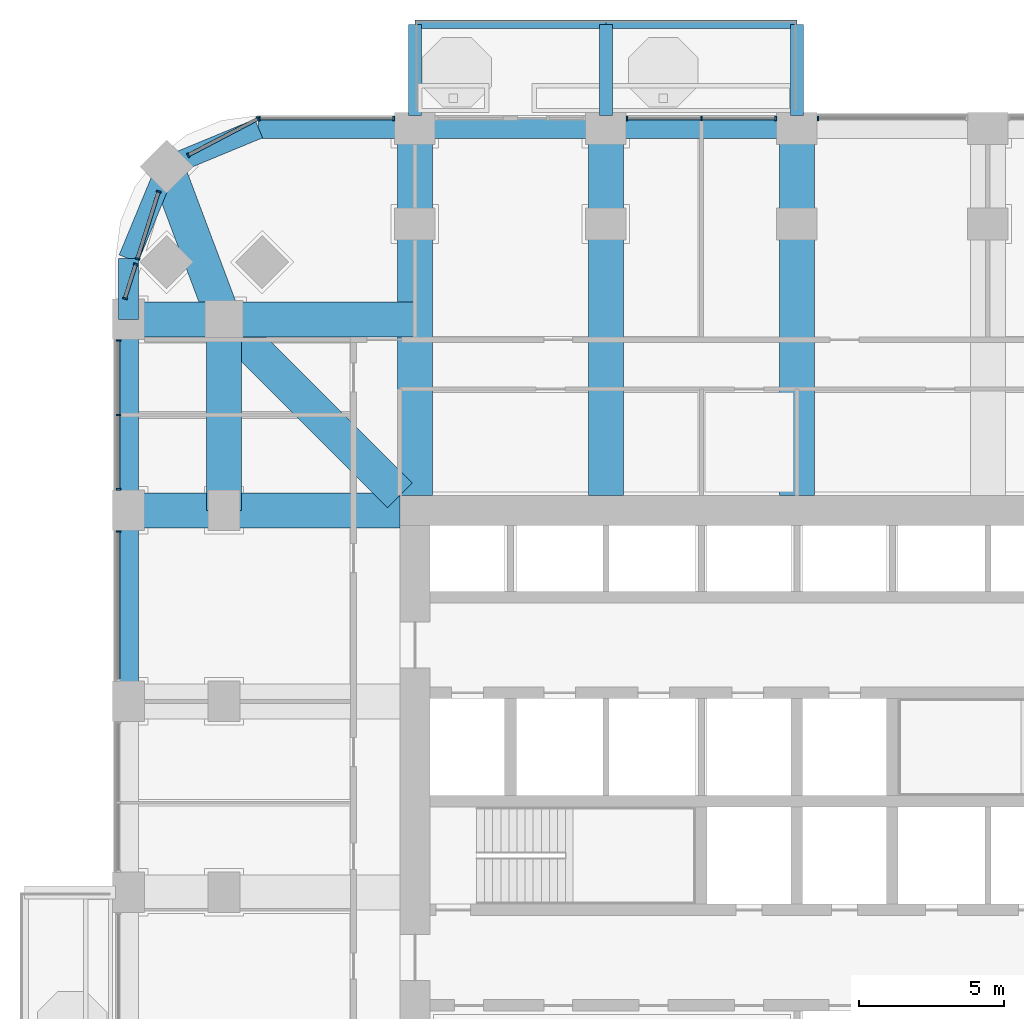
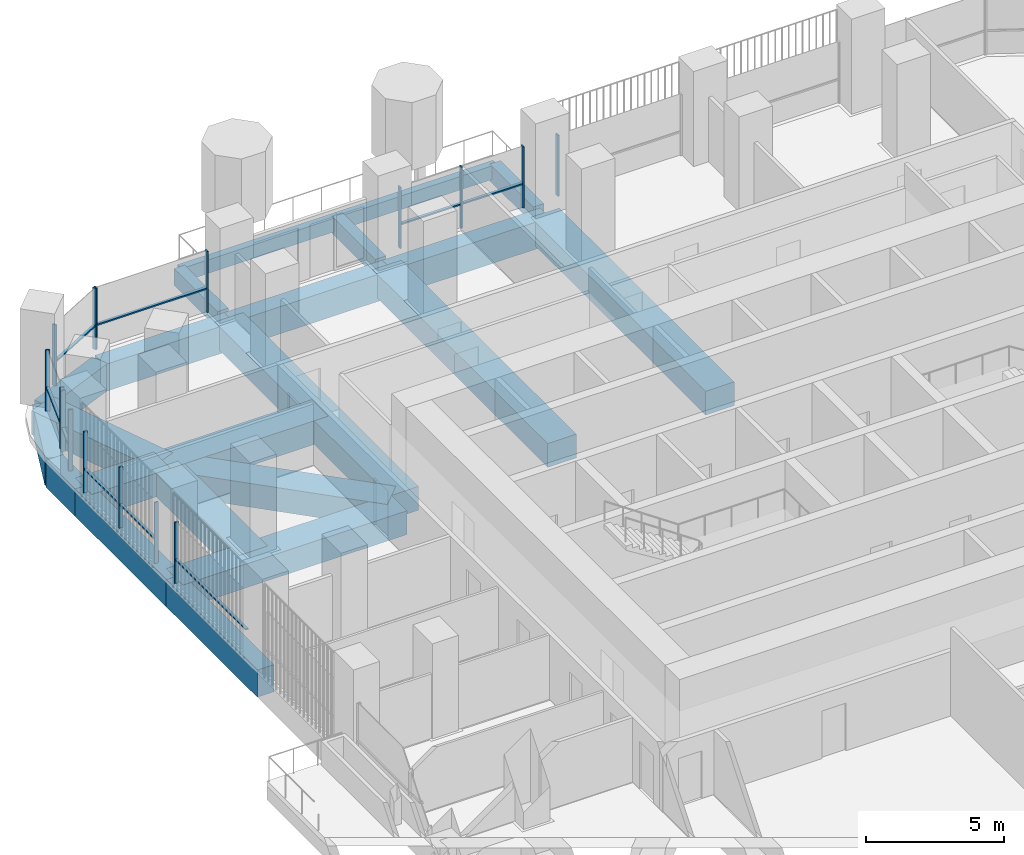
# One storey, part 6 of 21: 25 members, 22 beams, 8 elements without a shape of their own.
"""IFC4 building model written with IfcOpenShell, lengths in metres."""

from ifc_helpers import new_model, si_unit, direction, frame, origin, origin_2d, place, context, subcontext, project, spatial, rectangle, extrude, material, material_profile, profile_set, type_object, element, aggregate, save


model = new_model("IFC4")

# Units and contexts
model_context = context("Model", 3, precision=1e-05, world=origin(), true_north=direction((0.0, 1.0)))
body_context = subcontext(model_context, "Body", "Model", "MODEL_VIEW")
ifc_project = project(units=[si_unit("LENGTHUNIT", "METRE"), si_unit("AREAUNIT", "SQUARE_METRE"), si_unit("VOLUMEUNIT", "CUBIC_METRE"), si_unit("PLANEANGLEUNIT", "RADIAN"), si_unit("MASSUNIT", "GRAM", prefix="KILO")], contexts=[model_context])

# Site, building, storey
site_placement = place(None, origin())
site = spatial("IfcSite", under=ifc_project, at=site_placement, CompositionType="ELEMENT")
building_placement = place(site_placement, origin())
building = spatial("IfcBuilding", under=site, at=building_placement, Name="Cobogo Forest Laboratory Tower", CompositionType="ELEMENT")
storey_placement = place(building_placement, frame((0.0, 0.0, 115.800048828125)))
storey = spatial("IfcBuildingStorey", under=building, at=storey_placement, Name="L26", CompositionType="ELEMENT", Elevation=115.800048828125)

# Beams
ifc_material_1 = material(Name="Concrete HA-40 (C40/50)", Category="concrete")
ifc_material_profile_1 = material_profile(ifc_material_1, rectangle(XDim=0.449951171875, YDim=0.75, at=origin_2d()), Name="RC 450x750")
ifc_profile_set_1 = profile_set([ifc_material_profile_1], Name="Concrete HA-40 (C40/50)")
beam_type_1 = type_object("IfcBeamType", Name="Balcony cantilever beam 450x750", PredefinedType="BEAM", material=ifc_profile_set_1)
for number, where, z_axis, x_axis, name in (
    (1, (13.199951171875, 46.64990234375, -0.625), (0.0, 1.0, 0.0), (-1.0, 0.0, 0.0), "CB1 BAL-N1-C1 L26"),
    (2, (19.800048828125, 46.64990234375, -0.625), (0.0, 1.0, 0.0), (-1.0, 0.0, 0.0), "CB1 BAL-N1-C2 L26"),
    (3, (26.39990234375, 46.64990234375, -0.625), (0.0, 1.0, 0.0), (-1.0, 0.0, 0.0), "CB1 BAL-N1-C3 L26"),
):
    element("IfcBeam", number, at=place(storey_placement, frame(where, z_axis=z_axis, x_axis=x_axis)), inside=storey, type_object=beam_type_1, Name=name, PredefinedType="BEAM", context=body_context, shape_type="SweptSolid", body=[
        extrude(rectangle(XDim=0.449951171875, YDim=0.75, at=origin_2d()), origin(), (0.0, 0.0, 1.0), 3.150146484375),
    ])
ifc_material_profile_2 = material_profile(ifc_material_1, rectangle(XDim=0.300048828125, YDim=0.60009765625, at=origin_2d()), Name="RC 300x600")
ifc_profile_set_2 = profile_set([ifc_material_profile_2], Name="Concrete HA-40 (C40/50)")
beam_type_2 = type_object("IfcBeamType", Name="Balcony edge beam 300x600", PredefinedType="BEAM", material=ifc_profile_set_2)
beam_1_placement = place(storey_placement, frame((13.199951171875, 49.800048828125, -0.550048828125), z_axis=(1.0, 0.0, 0.0), x_axis=(0.0, 1.0, 0.0)))
element("IfcBeam", 4, at=beam_1_placement, inside=storey, type_object=beam_type_2, Name="BB1 BAL-N1-T1 L26", PredefinedType="BEAM", context=body_context, shape_type="SweptSolid", body=[
    extrude(rectangle(XDim=0.300048828125, YDim=0.60009765625, at=origin_2d()), origin(), (0.0, 0.0, 1.0), 6.60009765625),
])
beam_2_placement = place(storey_placement, frame((19.800048828125, 49.800048828125, -0.550048828125), z_axis=(1.0, 0.0, 0.0), x_axis=(0.0, 1.0, 0.0)))
element("IfcBeam", 5, at=beam_2_placement, inside=storey, type_object=beam_type_2, Name="BB1 BAL-N1-T2 L26", PredefinedType="BEAM", context=body_context, shape_type="SweptSolid", body=[
    extrude(rectangle(XDim=0.300048828125, YDim=0.60009765625, at=origin_2d()), origin(), (0.0, 0.0, 1.0), 6.599853515625),
])
ifc_material_profile_3 = material_profile(ifc_material_1, rectangle(XDim=1.199951171875, YDim=1.050048828125, at=origin_2d()), Name="RC 1200x1050")
ifc_profile_set_3 = profile_set([ifc_material_profile_3], Name="Concrete HA-40 (C40/50)")
beam_type_3 = type_object("IfcBeamType", Name="Laboratory floor wide beam 1200x1050", PredefinedType="BEAM", material=ifc_profile_set_3)
for number, where, z_axis, x_axis, name in (
    (6, (13.199951171875, 33.52490234375, -0.824951171875), (0.0, 1.0, 0.0), (-1.0, 0.0, 0.0), "RB1 R-3-N L26"),
    (7, (19.800048828125, 33.52490234375, -0.824951171875), (0.0, 1.0, 0.0), (-1.0, 0.0, 0.0), "RB1 R-4-N L26"),
    (8, (26.39990234375, 33.52490234375, -0.824951171875), (0.0, 1.0, 0.0), (-1.0, 0.0, 0.0), "RB1 R-5-N L26"),
):
    element("IfcBeam", number, at=place(storey_placement, frame(where, z_axis=z_axis, x_axis=x_axis)), inside=storey, type_object=beam_type_3, Name=name, PredefinedType="BEAM", context=body_context, shape_type="SweptSolid", body=[
        extrude(rectangle(XDim=1.199951171875, YDim=1.050048828125, at=origin_2d()), origin(), (0.0, 0.0, 1.0), 12.675048828125),
    ])
beam_3_placement = place(storey_placement, frame((12.675048828125, 33.0, -0.824951171875), z_axis=(-1.0, 0.0, 0.0), x_axis=(0.0, -1.0, 0.0)))
element("IfcBeam", 9, at=beam_3_placement, inside=storey, type_object=beam_type_3, Name="RB1 R-F-W L26", PredefinedType="BEAM", context=body_context, shape_type="SweptSolid", body=[
    extrude(rectangle(XDim=1.199951171875, YDim=1.050048828125, at=origin_2d()), origin(), (0.0, 0.0, 1.0), 9.375),
])
beam_4_placement = place(storey_placement, frame((6.60009765625, 39.60009765625, -0.824951171875), z_axis=(0.0, -1.0, 0.0), x_axis=(1.0, 0.0, 0.0)))
element("IfcBeam", 10, at=beam_4_placement, inside=storey, type_object=beam_type_3, Name="RB1 G-NW-XC L26", PredefinedType="BEAM", context=body_context, shape_type="SweptSolid", body=[
    extrude(rectangle(XDim=1.199951171875, YDim=1.050048828125, at=origin_2d()), origin(), (0.0, 0.0, 1.0), 6.60009765625),
])
beam_5_placement = place(storey_placement, frame((3.300048828125, 39.60009765625, -0.824951171875), z_axis=(1.0, 0.0, 0.0), x_axis=(0.0, 1.0, 0.0)))
element("IfcBeam", 11, at=beam_5_placement, inside=storey, type_object=beam_type_3, Name="RB1 G-NW-YF L26", PredefinedType="BEAM", context=body_context, shape_type="SweptSolid", body=[
    extrude(rectangle(XDim=1.199951171875, YDim=1.050048828125, at=origin_2d()), origin(), (0.0, 0.0, 1.0), 3.300048828125),
])
beam_6_placement = place(storey_placement, frame((6.60009765625, 39.60009765625, -0.824951171875), z_axis=(1.0, 0.0, 0.0), x_axis=(0.0, 1.0, 0.0)))
element("IfcBeam", 12, at=beam_6_placement, inside=storey, type_object=beam_type_3, Name="RB1 G-NW-YC L26", PredefinedType="BEAM", context=body_context, shape_type="SweptSolid", body=[
    extrude(rectangle(XDim=1.199951171875, YDim=1.050048828125, at=origin_2d()), origin(), (0.0, 0.0, 1.0), 6.599853515625),
])
beam_7_placement = place(storey_placement, frame((4.617919921875, 44.882080078125, -0.824951171875), z_axis=(0.351346325373, -0.936245565889, 0.0), x_axis=(0.936245565889, 0.351346325373, 0.0)))
element("IfcBeam", 13, at=beam_7_placement, inside=storey, type_object=beam_type_3, Name="RB1 G-NW-D1 L26", PredefinedType="BEAM", context=body_context, shape_type="SweptSolid", body=[
    extrude(rectangle(XDim=1.199951171875, YDim=1.050048828125, at=origin_2d()), origin(), (0.0, 0.0, 1.0), 5.6416015625),
])
beam_8_placement = place(storey_placement, frame((6.60009765625, 39.60009765625, -0.824951171875), z_axis=(0.707092572697, -0.70712098939, 0.0), x_axis=(0.70712098939, 0.707092572697, 0.0)))
element("IfcBeam", 14, at=beam_8_placement, inside=storey, type_object=beam_type_3, Name="RB1 G-NW-D2 L26", PredefinedType="BEAM", context=body_context, shape_type="SweptSolid", body=[
    extrude(rectangle(XDim=1.199951171875, YDim=1.050048828125, at=origin_2d()), origin(), (0.0, 0.0, 1.0), 8.591552734375),
])

# Curtain wall, member
ifc_material_2 = material(Name="Aluminium curtain wall", Category="aluminium")
curtain_wall_type = type_object("IfcCurtainWallType", Name="CW-1 unitised curtain wall, clear glazing, laboratory floors zones A and B", PredefinedType="USERDEFINED", material=ifc_material_2)
curtain_wall_1_placement = place(storey_placement, origin())
curtain_wall_1 = element("IfcCurtainWall", 15, at=curtain_wall_1_placement, inside=storey, type_object=curtain_wall_type, Name="Curtain wall 20 L26", ObjectType="UNITISED CURTAIN WALL", PredefinedType="USERDEFINED")
ifc_material_3 = material(Name="Aluminium mullion", Category="aluminium")
ifc_material_profile_4 = material_profile(ifc_material_3, rectangle(XDim=0.06005859375, YDim=0.159912109375, at=origin_2d()), Name="AL 60x160")
ifc_profile_set_4 = profile_set([ifc_material_profile_4], Name="Aluminium mullion")
member_type_1 = type_object("IfcMemberType", Name="MU-1 aluminium mullion 60x160", PredefinedType="MULLION", material=ifc_profile_set_4)
member_1_placement = place(storey_placement, frame((27.1298828125, 46.550048828125, 0.0), z_axis=(0.0, 0.0, 1.0), x_axis=(-1.0, 0.0, 0.0)))
member_1 = element("IfcMember", 16, at=member_1_placement, type_object=member_type_1, Name="CW-1 mullion 2", PredefinedType="MULLION", context=body_context, shape_type="SweptSolid", body=[
    extrude(rectangle(XDim=0.06005859375, YDim=0.159912109375, at=origin_2d()), origin(), (0.0, 0.0, 1.0), 2.699951171875),
])
aggregate(curtain_wall_1, [member_1])

# Curtain wall, members
curtain_wall_2_placement = place(storey_placement, origin())
curtain_wall_2 = element("IfcCurtainWall", 17, at=curtain_wall_2_placement, inside=storey, type_object=curtain_wall_type, Name="Curtain wall 21 L26", ObjectType="UNITISED CURTAIN WALL", PredefinedType="USERDEFINED")
member_2_placement = place(storey_placement, frame((25.669921875, 46.550048828125, 0.0), z_axis=(0.0, 0.0, 1.0), x_axis=(-1.0, 0.0, 0.0)))
member_2 = element("IfcMember", 18, at=member_2_placement, type_object=member_type_1, Name="CW-1 mullion 1", PredefinedType="MULLION", context=body_context, shape_type="SweptSolid", body=[
    extrude(rectangle(XDim=0.06005859375, YDim=0.159912109375, at=origin_2d()), origin(), (0.0, 0.0, 1.0), 2.699951171875),
])
member_3_placement = place(storey_placement, frame((23.10009765625, 46.550048828125, 0.0), z_axis=(0.0, 0.0, 1.0), x_axis=(-1.0, 0.0, 0.0)))
member_3 = element("IfcMember", 19, at=member_3_placement, type_object=member_type_1, Name="CW-1 mullion 2", PredefinedType="MULLION", context=body_context, shape_type="SweptSolid", body=[
    extrude(rectangle(XDim=0.06005859375, YDim=0.159912109375, at=origin_2d()), origin(), (0.0, 0.0, 1.0), 2.699951171875),
])
member_4_placement = place(storey_placement, frame((20.530029296875, 46.550048828125, 0.0), z_axis=(0.0, 0.0, 1.0), x_axis=(-1.0, 0.0, 0.0)))
member_4 = element("IfcMember", 20, at=member_4_placement, type_object=member_type_1, Name="CW-1 mullion 3", PredefinedType="MULLION", context=body_context, shape_type="SweptSolid", body=[
    extrude(rectangle(XDim=0.06005859375, YDim=0.159912109375, at=origin_2d()), origin(), (0.0, 0.0, 1.0), 2.699951171875),
])

curtain_wall_3_placement = place(storey_placement, origin())
curtain_wall_3 = element("IfcCurtainWall", 21, at=curtain_wall_3_placement, inside=storey, type_object=curtain_wall_type, Name="Curtain wall 23 L26", ObjectType="UNITISED CURTAIN WALL", PredefinedType="USERDEFINED")
member_5_placement = place(storey_placement, frame((12.469970703125, 46.550048828125, 0.0), z_axis=(0.0, 0.0, 1.0), x_axis=(-1.0, 0.0, 0.0)))
member_5 = element("IfcMember", 22, at=member_5_placement, type_object=member_type_1, Name="CW-1 mullion 1", PredefinedType="MULLION", context=body_context, shape_type="SweptSolid", body=[
    extrude(rectangle(XDim=0.06005859375, YDim=0.159912109375, at=origin_2d()), origin(), (0.0, 0.0, 1.0), 2.699951171875),
])
member_6_placement = place(storey_placement, frame((7.830078125, 46.550048828125, 0.0), z_axis=(0.0, 0.0, 1.0), x_axis=(-1.0, 0.0, 0.0)))
member_6 = element("IfcMember", 23, at=member_6_placement, type_object=member_type_1, Name="CW-1 mullion 2", PredefinedType="MULLION", context=body_context, shape_type="SweptSolid", body=[
    extrude(rectangle(XDim=0.06005859375, YDim=0.159912109375, at=origin_2d()), origin(), (0.0, 0.0, 1.0), 2.699951171875),
])

curtain_wall_4_placement = place(storey_placement, origin())
curtain_wall_4 = element("IfcCurtainWall", 24, at=curtain_wall_4_placement, inside=storey, type_object=curtain_wall_type, Name="Curtain wall 24 L26", ObjectType="UNITISED CURTAIN WALL", PredefinedType="USERDEFINED")
member_7_placement = place(storey_placement, frame((7.7734375, 46.5361328125, 0.0), z_axis=(0.0, 0.0, 1.0), x_axis=(-0.885686547075, -0.464283685186, 0.0)))
member_7 = element("IfcMember", 25, at=member_7_placement, type_object=member_type_1, Name="CW-1 mullion 1", PredefinedType="MULLION", context=body_context, shape_type="SweptSolid", body=[
    extrude(rectangle(XDim=0.06005859375, YDim=0.159912109375, at=origin_2d()), origin(), (0.0, 0.0, 1.0), 2.699951171875),
])
member_8_placement = place(storey_placement, frame((5.368408203125, 45.275390625, 0.0), z_axis=(0.0, 0.0, 1.0), x_axis=(-0.885686547075, -0.464283685186, 0.0)))
member_8 = element("IfcMember", 26, at=member_8_placement, type_object=member_type_1, Name="CW-1 mullion 2", PredefinedType="MULLION", context=body_context, shape_type="SweptSolid", body=[
    extrude(rectangle(XDim=0.06005859375, YDim=0.159912109375, at=origin_2d()), origin(), (0.0, 0.0, 1.0), 2.699951171875),
])

curtain_wall_5_placement = place(storey_placement, origin())
curtain_wall_5 = element("IfcCurtainWall", 27, at=curtain_wall_5_placement, inside=storey, type_object=curtain_wall_type, Name="Curtain wall 25 L26", ObjectType="UNITISED CURTAIN WALL", PredefinedType="USERDEFINED")
member_9_placement = place(storey_placement, frame((4.34423828125, 44.01513671875, 0.0), z_axis=(0.0, 0.0, 1.0), x_axis=(-0.301135291996, -0.953581425949, 0.0)))
member_9 = element("IfcMember", 28, at=member_9_placement, type_object=member_type_1, Name="CW-1 mullion 1", PredefinedType="MULLION", context=body_context, shape_type="SweptSolid", body=[
    extrude(rectangle(XDim=0.06005859375, YDim=0.159912109375, at=origin_2d()), origin(), (0.0, 0.0, 1.0), 2.699951171875),
])
member_10_placement = place(storey_placement, frame((3.613037109375, 41.69970703125, 0.0), z_axis=(0.0, 0.0, 1.0), x_axis=(-0.301135291996, -0.953581425949, 0.0)))
member_10 = element("IfcMember", 29, at=member_10_placement, type_object=member_type_1, Name="CW-1 mullion 2", PredefinedType="MULLION", context=body_context, shape_type="SweptSolid", body=[
    extrude(rectangle(XDim=0.06005859375, YDim=0.159912109375, at=origin_2d()), origin(), (0.0, 0.0, 1.0), 2.699951171875),
])

curtain_wall_6_placement = place(storey_placement, origin())
curtain_wall_6 = element("IfcCurtainWall", 30, at=curtain_wall_6_placement, inside=storey, type_object=curtain_wall_type, Name="Curtain wall 26 L26", ObjectType="UNITISED CURTAIN WALL", PredefinedType="USERDEFINED")
member_11_placement = place(storey_placement, frame((3.55224609375, 41.507080078125, 0.0), z_axis=(0.0, 0.0, 1.0), x_axis=(-0.301135356805, -0.953581405483, 0.0)))
member_11 = element("IfcMember", 31, at=member_11_placement, type_object=member_type_1, Name="CW-1 mullion 1", PredefinedType="MULLION", context=body_context, shape_type="SweptSolid", body=[
    extrude(rectangle(XDim=0.06005859375, YDim=0.159912109375, at=origin_2d()), origin(), (0.0, 0.0, 1.0), 2.699951171875),
])
member_12_placement = place(storey_placement, frame((3.18017578125, 40.32861328125, 0.0), z_axis=(0.0, 0.0, 1.0), x_axis=(-0.301135356805, -0.953581405483, 0.0)))
member_12 = element("IfcMember", 32, at=member_12_placement, type_object=member_type_1, Name="CW-1 mullion 2", PredefinedType="MULLION", context=body_context, shape_type="SweptSolid", body=[
    extrude(rectangle(XDim=0.06005859375, YDim=0.159912109375, at=origin_2d()), origin(), (0.0, 0.0, 1.0), 2.699951171875),
])

curtain_wall_7_placement = place(storey_placement, origin())
curtain_wall_7 = element("IfcCurtainWall", 33, at=curtain_wall_7_placement, inside=storey, type_object=curtain_wall_type, Name="Curtain wall 27 L26", ObjectType="UNITISED CURTAIN WALL", PredefinedType="USERDEFINED")
member_13_placement = place(storey_placement, frame((2.949951171875, 38.8701171875, 0.0), z_axis=(0.0, 0.0, 1.0), x_axis=(0.0, -1.0, 0.0)))
member_13 = element("IfcMember", 34, at=member_13_placement, type_object=member_type_1, Name="CW-1 mullion 1", PredefinedType="MULLION", context=body_context, shape_type="SweptSolid", body=[
    extrude(rectangle(XDim=0.06005859375, YDim=0.159912109375, at=origin_2d()), origin(), (0.0, 0.0, 1.0), 2.699951171875),
])
member_14_placement = place(storey_placement, frame((2.949951171875, 36.300048828125, 0.0), z_axis=(0.0, 0.0, 1.0), x_axis=(0.0, -1.0, 0.0)))
member_14 = element("IfcMember", 35, at=member_14_placement, type_object=member_type_1, Name="CW-1 mullion 2", PredefinedType="MULLION", context=body_context, shape_type="SweptSolid", body=[
    extrude(rectangle(XDim=0.06005859375, YDim=0.159912109375, at=origin_2d()), origin(), (0.0, 0.0, 1.0), 2.699951171875),
])
member_15_placement = place(storey_placement, frame((2.949951171875, 33.72998046875, 0.0), z_axis=(0.0, 0.0, 1.0), x_axis=(0.0, -1.0, 0.0)))
member_15 = element("IfcMember", 36, at=member_15_placement, type_object=member_type_1, Name="CW-1 mullion 3", PredefinedType="MULLION", context=body_context, shape_type="SweptSolid", body=[
    extrude(rectangle(XDim=0.06005859375, YDim=0.159912109375, at=origin_2d()), origin(), (0.0, 0.0, 1.0), 2.699951171875),
])

# Curtain wall, member
curtain_wall_8_placement = place(storey_placement, origin())
curtain_wall_8 = element("IfcCurtainWall", 37, at=curtain_wall_8_placement, inside=storey, type_object=curtain_wall_type, Name="Curtain wall 28 L26", ObjectType="UNITISED CURTAIN WALL", PredefinedType="USERDEFINED")
member_16_placement = place(storey_placement, frame((2.949951171875, 32.27001953125, 0.0), z_axis=(0.0, 0.0, 1.0), x_axis=(0.0, -1.0, 0.0)))
member_16 = element("IfcMember", 38, at=member_16_placement, type_object=member_type_1, Name="CW-1 mullion 1", PredefinedType="MULLION", context=body_context, shape_type="SweptSolid", body=[
    extrude(rectangle(XDim=0.06005859375, YDim=0.159912109375, at=origin_2d()), origin(), (0.0, 0.0, 1.0), 2.699951171875),
])

# Beams
ifc_material_profile_5 = material_profile(ifc_material_1, rectangle(XDim=0.699951171875, YDim=1.199951171875, at=origin_2d()), Name="RC 700x1200")
ifc_profile_set_5 = profile_set([ifc_material_profile_5], Name="Concrete HA-40 (C40/50)")
beam_type_4 = type_object("IfcBeamType", Name="Perimeter edge beam 700x1200", PredefinedType="BEAM", material=ifc_profile_set_5)
beam_9_placement = place(storey_placement, frame((13.199951171875, 46.199951171875, -0.900146484375), z_axis=(1.0, 0.0, 0.0), x_axis=(0.0, 1.0, 0.0)))
element("IfcBeam", 39, at=beam_9_placement, inside=storey, type_object=beam_type_4, Name="EB1 E-N1 L26", PredefinedType="BEAM", context=body_context, shape_type="SweptSolid", body=[
    extrude(rectangle(XDim=0.699951171875, YDim=1.199951171875, at=origin_2d()), origin(), (0.0, 0.0, 1.0), 6.60009765625),
])
beam_10_placement = place(storey_placement, frame((19.800048828125, 46.199951171875, -0.900146484375), z_axis=(1.0, 0.0, 0.0), x_axis=(0.0, 1.0, 0.0)))
element("IfcBeam", 40, at=beam_10_placement, inside=storey, type_object=beam_type_4, Name="EB1 E-N2 L26", PredefinedType="BEAM", context=body_context, shape_type="SweptSolid", body=[
    extrude(rectangle(XDim=0.699951171875, YDim=1.199951171875, at=origin_2d()), origin(), (0.0, 0.0, 1.0), 6.599853515625),
])
for number, where, z_axis, x_axis, name in (
    (41, (3.300048828125, 26.39990234375, -0.900146484375), (0.0, 1.0, 0.0), (-1.0, 0.0, 0.0), "EB1 E-W4 L26"),
    (42, (3.300048828125, 33.0, -0.900146484375), (0.0, 1.0, 0.0), (-1.0, 0.0, 0.0), "EB1 E-W5 L26"),
):
    element("IfcBeam", number, at=place(storey_placement, frame(where, z_axis=z_axis, x_axis=x_axis)), inside=storey, type_object=beam_type_4, Name=name, PredefinedType="BEAM", context=body_context, shape_type="SweptSolid", body=[
        extrude(rectangle(XDim=0.699951171875, YDim=1.199951171875, at=origin_2d()), origin(), (0.0, 0.0, 1.0), 6.60009765625),
    ])
beam_11_placement = place(storey_placement, frame((13.199951171875, 46.199951171875, -0.900146484375), z_axis=(-1.0, 0.0, 0.0), x_axis=(0.0, -1.0, 0.0)))
element("IfcBeam", 43, at=beam_11_placement, inside=storey, type_object=beam_type_4, Name="EB1 E-NWN1 L26", PredefinedType="BEAM", context=body_context, shape_type="SweptSolid", body=[
    extrude(rectangle(XDim=0.699951171875, YDim=1.199951171875, at=origin_2d()), origin(), (0.0, 0.0, 1.0), 5.39990234375),
])
beam_12_placement = place(storey_placement, frame((7.800048828125, 46.199951171875, -0.900146484375), z_axis=(-0.923901072997, -0.382631424892, 0.0), x_axis=(0.382631424892, -0.923901072997, 0.0)))
element("IfcBeam", 44, at=beam_12_placement, inside=storey, type_object=beam_type_4, Name="EB1 E-NWN2 L26", PredefinedType="BEAM", context=body_context, shape_type="SweptSolid", body=[
    extrude(rectangle(XDim=0.699951171875, YDim=1.199951171875, at=origin_2d()), origin(), (0.0, 0.0, 1.0), 3.4443359375),
])
beam_13_placement = place(storey_placement, frame((3.300048828125, 39.60009765625, -0.900146484375), z_axis=(0.0, 1.0, 0.0), x_axis=(-1.0, 0.0, 0.0)))
element("IfcBeam", 45, at=beam_13_placement, inside=storey, type_object=beam_type_4, Name="EB1 E-NWW1 L26", PredefinedType="BEAM", context=body_context, shape_type="SweptSolid", body=[
    extrude(rectangle(XDim=0.699951171875, YDim=1.199951171875, at=origin_2d()), origin(), (0.0, 0.0, 1.0), 2.099853515625),
])
beam_14_placement = place(storey_placement, frame((3.300048828125, 41.699951171875, -0.900146484375), z_axis=(0.382631424892, 0.923901072997, 0.0), x_axis=(-0.923901072997, 0.382631424892, 0.0)))
element("IfcBeam", 46, at=beam_14_placement, inside=storey, type_object=beam_type_4, Name="EB1 E-NWW2 L26", PredefinedType="BEAM", context=body_context, shape_type="SweptSolid", body=[
    extrude(rectangle(XDim=0.699951171875, YDim=1.199951171875, at=origin_2d()), origin(), (0.0, 0.0, 1.0), 3.4443359375),
])

# Member
ifc_material_4 = material(Name="Aluminium transom", Category="aluminium")
ifc_material_profile_6 = material_profile(ifc_material_4, rectangle(XDim=0.1201171875, YDim=0.06005859375, at=origin_2d()), Name="AL 60x120")
ifc_profile_set_6 = profile_set([ifc_material_profile_6], Name="Aluminium transom")
member_type_2 = type_object("IfcMemberType", Name="TR-1 aluminium transom 60x120", PredefinedType="USERDEFINED", material=ifc_profile_set_6)
member_17_placement = place(storey_placement, frame((25.639892578125, 46.550048828125, 1.050048828125), z_axis=(-1.0, 0.0, 0.0), x_axis=(0.0, -1.0, 0.0)))
member_17 = element("IfcMember", 47, at=member_17_placement, type_object=member_type_2, Name="CW-1 transom 1.1", ObjectType="TRANSOM", PredefinedType="USERDEFINED", context=body_context, shape_type="SweptSolid", body=[
    extrude(rectangle(XDim=0.1201171875, YDim=0.06005859375, at=origin_2d()), origin(), (0.0, 0.0, 1.0), 2.510009765625),
])

member_18_placement = place(storey_placement, frame((23.070068359375, 46.550048828125, 1.050048828125), z_axis=(-1.0, 0.0, 0.0), x_axis=(0.0, -1.0, 0.0)))
member_18 = element("IfcMember", 48, at=member_18_placement, type_object=member_type_2, Name="CW-1 transom 2.1", ObjectType="TRANSOM", PredefinedType="USERDEFINED", context=body_context, shape_type="SweptSolid", body=[
    extrude(rectangle(XDim=0.1201171875, YDim=0.06005859375, at=origin_2d()), origin(), (0.0, 0.0, 1.0), 2.510009765625),
])

aggregate(curtain_wall_2, [member_2, member_3, member_4, member_17, member_18])

member_19_placement = place(storey_placement, frame((12.43994140625, 46.550048828125, 1.050048828125), z_axis=(-1.0, 0.0, 0.0), x_axis=(0.0, -1.0, 0.0)))
member_19 = element("IfcMember", 49, at=member_19_placement, type_object=member_type_2, Name="CW-1 transom 1.1", ObjectType="TRANSOM", PredefinedType="USERDEFINED", context=body_context, shape_type="SweptSolid", body=[
    extrude(rectangle(XDim=0.1201171875, YDim=0.06005859375, at=origin_2d()), origin(), (0.0, 0.0, 1.0), 4.579833984375),
])

aggregate(curtain_wall_3, [member_5, member_6, member_19])

member_20_placement = place(storey_placement, frame((7.746826171875, 46.522216796875, 1.050048828125), z_axis=(-0.885694740493, -0.464268054753, 0.0), x_axis=(0.464268054753, -0.885694740493, 0.0)))
member_20 = element("IfcMember", 50, at=member_20_placement, type_object=member_type_2, Name="CW-1 transom 1.1", ObjectType="TRANSOM", PredefinedType="USERDEFINED", context=body_context, shape_type="SweptSolid", body=[
    extrude(rectangle(XDim=0.1201171875, YDim=0.06005859375, at=origin_2d()), origin(), (0.0, 0.0, 1.0), 2.655517578125),
])

aggregate(curtain_wall_4, [member_7, member_8, member_20])

member_21_placement = place(storey_placement, frame((4.335205078125, 43.986328125, 1.050048828125), z_axis=(-0.301156039198, -0.953574873859, 0.0), x_axis=(0.953574873859, -0.301156039198, 0.0)))
member_21 = element("IfcMember", 51, at=member_21_placement, type_object=member_type_2, Name="CW-1 transom 1.1", ObjectType="TRANSOM", PredefinedType="USERDEFINED", context=body_context, shape_type="SweptSolid", body=[
    extrude(rectangle(XDim=0.1201171875, YDim=0.06005859375, at=origin_2d()), origin(), (0.0, 0.0, 1.0), 2.367919921875),
])

aggregate(curtain_wall_5, [member_9, member_10, member_21])

member_22_placement = place(storey_placement, frame((3.543212890625, 41.478515625, 1.050048828125), z_axis=(-0.301051874343, -0.953607764731, 0.0), x_axis=(0.953607764731, -0.301051874343, 0.0)))
member_22 = element("IfcMember", 52, at=member_22_placement, type_object=member_type_2, Name="CW-1 transom 1.1", ObjectType="TRANSOM", PredefinedType="USERDEFINED", context=body_context, shape_type="SweptSolid", body=[
    extrude(rectangle(XDim=0.1201171875, YDim=0.06005859375, at=origin_2d()), origin(), (0.0, 0.0, 1.0), 1.17578125),
])

aggregate(curtain_wall_6, [member_11, member_12, member_22])

member_23_placement = place(storey_placement, frame((2.949951171875, 38.840087890625, 1.050048828125), z_axis=(0.0, -1.0, 0.0), x_axis=(1.0, 0.0, 0.0)))
member_23 = element("IfcMember", 53, at=member_23_placement, type_object=member_type_2, Name="CW-1 transom 1.1", ObjectType="TRANSOM", PredefinedType="USERDEFINED", context=body_context, shape_type="SweptSolid", body=[
    extrude(rectangle(XDim=0.1201171875, YDim=0.06005859375, at=origin_2d()), origin(), (0.0, 0.0, 1.0), 2.510009765625),
])

member_24_placement = place(storey_placement, frame((2.949951171875, 36.27001953125, 1.050048828125), z_axis=(0.0, -1.0, 0.0), x_axis=(1.0, 0.0, 0.0)))
member_24 = element("IfcMember", 54, at=member_24_placement, type_object=member_type_2, Name="CW-1 transom 2.1", ObjectType="TRANSOM", PredefinedType="USERDEFINED", context=body_context, shape_type="SweptSolid", body=[
    extrude(rectangle(XDim=0.1201171875, YDim=0.06005859375, at=origin_2d()), origin(), (0.0, 0.0, 1.0), 2.510009765625),
])

aggregate(curtain_wall_7, [member_13, member_14, member_15, member_23, member_24])

member_25_placement = place(storey_placement, frame((2.949951171875, 32.239990234375, 1.050048828125), z_axis=(0.0, -1.0, 0.0), x_axis=(1.0, 0.0, 0.0)))
member_25 = element("IfcMember", 55, at=member_25_placement, type_object=member_type_2, Name="CW-1 transom 1.1", ObjectType="TRANSOM", PredefinedType="USERDEFINED", context=body_context, shape_type="SweptSolid", body=[
    extrude(rectangle(XDim=0.1201171875, YDim=0.06005859375, at=origin_2d()), origin(), (0.0, 0.0, 1.0), 5.080078125),
])

aggregate(curtain_wall_8, [member_16, member_25])

save(model, "model.ifc")
